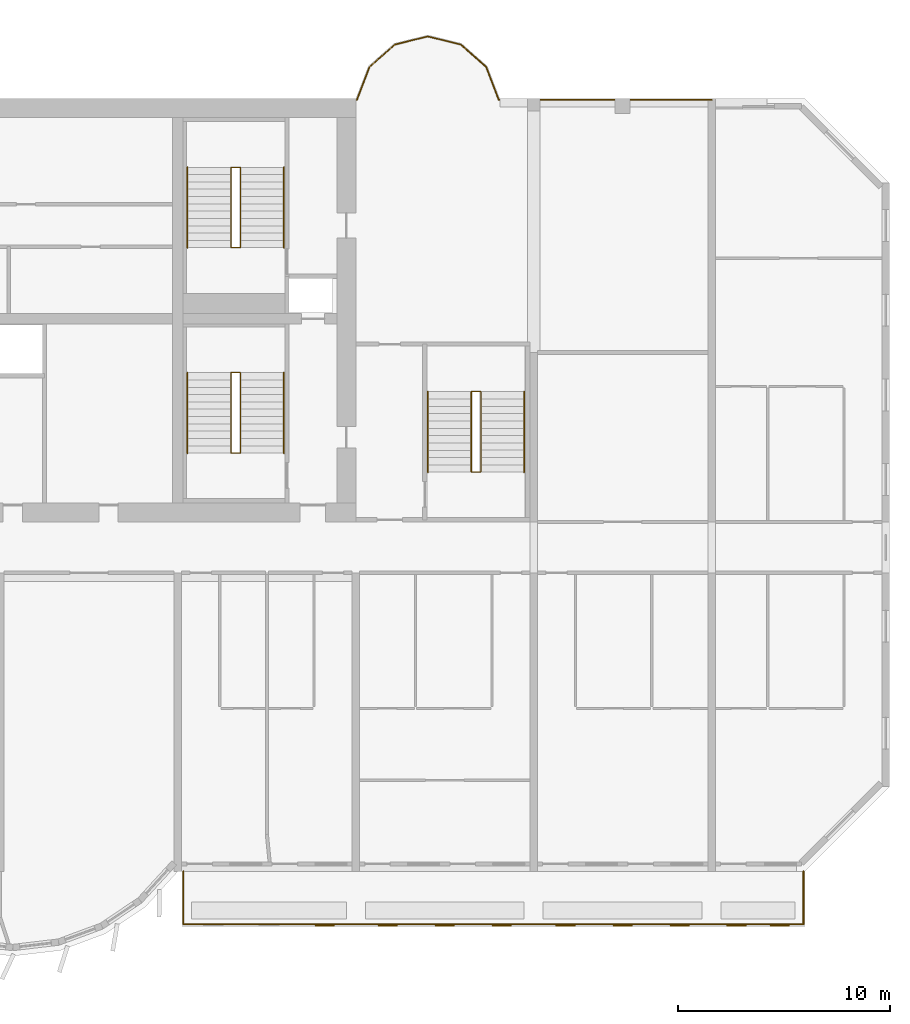
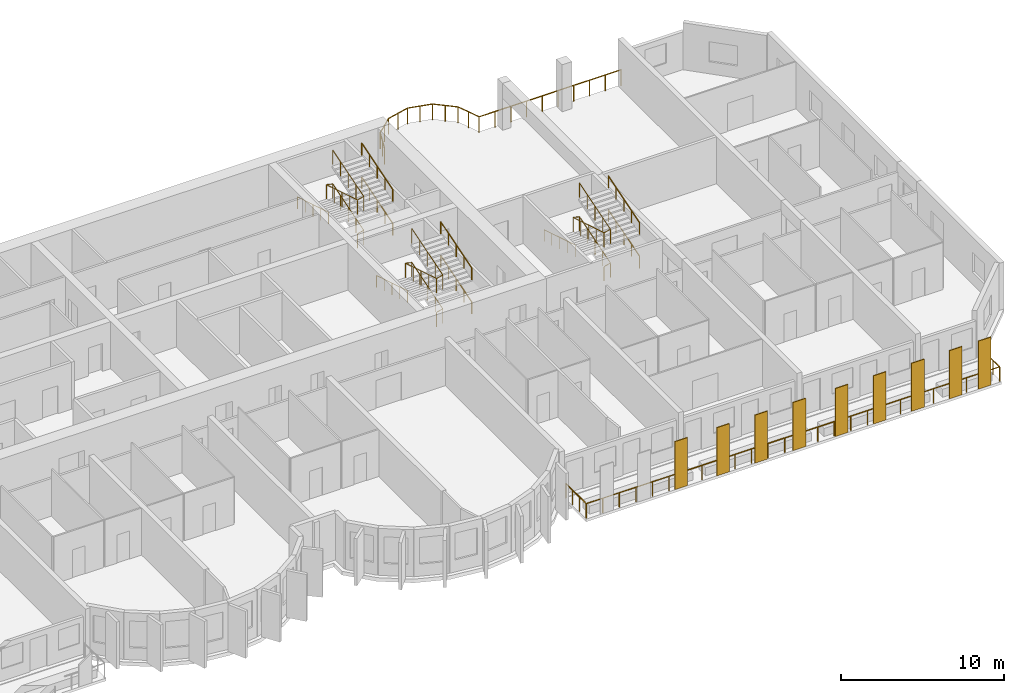
# One storey, part 13 of 14: 14 railings, 9 coverings.
"""IFC4 building model written with IfcOpenShell, lengths in metres."""

import ifcopenshell
import ifcopenshell.guid

model = None  # the IFC model being written
_history = None  # IfcOwnerHistory: only IFC2X3 demands one
_inside = {}  # id of a spatial element -> (the spatial element, [elements in it])
_under = {}  # id of a project, library or spatial element -> (it, [spatial elements below it])
_declared = {}  # id of a project -> (the project, [libraries it declares])
_typed = {}  # id of a type object -> (the type object, [elements of that type])
_made_of = {}  # id of a material, layer set ... -> (it, [elements and type objects made of it])


def new_model(schema):
    """Start an empty IFC model of exactly this schema.

    Asked for "IFC4X3", IfcOpenShell would pick the latest addendum, in which some entities
    have other attributes; the version numbers below select the first issue.
    IFC2X3 requires an IfcOwnerHistory on every rooted entity: one is made here for all.
    """
    global model, _history
    if schema == "IFC4X3":
        model = ifcopenshell.file(schema_version=(4, 3, 0, 0))
    else:
        model = ifcopenshell.file(schema=schema)
    _inside.clear()
    _under.clear()
    _declared.clear()
    _typed.clear()
    _made_of.clear()
    _history = None
    if model.schema == "IFC2X3":
        org = make("IfcOrganization", Name="unknown")
        user = make(
            "IfcPersonAndOrganization",
            ThePerson=make("IfcPerson", FamilyName="unknown"),
            TheOrganization=org,
        )
        app = make(
            "IfcApplication",
            ApplicationDeveloper=org,
            Version="unknown",
            ApplicationFullName="unknown",
            ApplicationIdentifier="unknown",
        )
        _history = make(
            "IfcOwnerHistory",
            OwningUser=user,
            OwningApplication=app,
            ChangeAction="ADDED",
            CreationDate=0,
        )
    return model


def make(cls, **values):
    """One entity of the class cls with the attributes given. An attribute that is None is left unset."""
    return model.create_entity(
        cls, **{name: value for name, value in values.items() if value is not None}
    )


def rooted(cls, **values):
    """An entity with a GlobalId (a new one), such as an element, a storey or a relation."""
    return make(cls, GlobalId=ifcopenshell.guid.new(), OwnerHistory=_history, **values)


def si_unit(unit_type, name, prefix=None):
    """IfcSIUnit, for example si_unit("LENGTHUNIT", "METRE", prefix="MILLI")."""
    return make("IfcSIUnit", UnitType=unit_type, Prefix=prefix, Name=name)


def assignment(units):
    """IfcUnitAssignment: the units of a project."""
    return None if units is None else make("IfcUnitAssignment", Units=units)


def point(xyz):
    """IfcCartesianPoint."""
    return None if xyz is None else make("IfcCartesianPoint", Coordinates=xyz)


def direction(xyz):
    """IfcDirection."""
    return None if xyz is None else make("IfcDirection", DirectionRatios=xyz)


def frame(location, z_axis=None, x_axis=None):
    """IfcAxis2Placement3D, a coordinate frame: its origin and axes. An axis left out is left unset."""
    return make(
        "IfcAxis2Placement3D",
        Location=point(location),
        Axis=direction(z_axis),
        RefDirection=direction(x_axis),
    )


def frame_2d(location, x_axis=None):
    """IfcAxis2Placement2D, a coordinate frame in the plane: its origin and x axis."""
    return make(
        "IfcAxis2Placement2D", Location=point(location), RefDirection=direction(x_axis)
    )


def origin():
    """The frame at (0, 0, 0) with its axes left unset."""
    return frame((0.0, 0.0, 0.0))


def origin_2d():
    """The frame at (0, 0) in the plane with its x axis left unset."""
    return frame_2d((0.0, 0.0))


def place(relative_to, where):
    """IfcLocalPlacement: puts the frame where relative to a parent placement (None: the world)."""
    return make(
        "IfcLocalPlacement", PlacementRelTo=relative_to, RelativePlacement=where
    )


def context(
    kind, dimensions, precision=None, world=None, true_north=None, identifier=None
):
    """IfcGeometricRepresentationContext, for example the 3D "Model" context."""
    return make(
        "IfcGeometricRepresentationContext",
        ContextIdentifier=identifier,
        ContextType=kind,
        CoordinateSpaceDimension=dimensions,
        Precision=precision,
        WorldCoordinateSystem=world,
        TrueNorth=true_north,
    )


def subcontext(parent, identifier, kind, view, scale=None):
    """IfcGeometricRepresentationSubContext, for example "Body" below "Model"."""
    return make(
        "IfcGeometricRepresentationSubContext",
        ContextIdentifier=identifier,
        ContextType=kind,
        ParentContext=parent,
        TargetScale=scale,
        TargetView=view,
    )


def project(units=None, contexts=None):
    """IfcProject with its units and contexts."""
    return rooted(
        "IfcProject",
        Name="project",
        RepresentationContexts=contexts,
        UnitsInContext=assignment(units),
    )


def spatial(cls, under=None, at=None, **own):
    """A site, building, storey or space (cls), placed at a placement, below another one or the project."""
    s = rooted(cls, ObjectPlacement=at, **own)
    if under is not None:
        _under.setdefault(under.id(), (under, []))[1].append(s)
    return s


def profile(cls, at=None, kind="AREA", **sizes):
    """A parametric profile (cls). Its sizes go by their IFC names, for example OverallWidth=200.0."""
    return make(cls, ProfileType=kind, Position=at, **sizes)


def rectangle(**sizes):
    """IfcRectangleProfileDef."""
    return profile("IfcRectangleProfileDef", **sizes)


def circle(**sizes):
    """IfcCircleProfileDef."""
    return profile("IfcCircleProfileDef", **sizes)


def extrude(swept, where, along, depth):
    """IfcExtrudedAreaSolid: the profile swept, set in the frame where, extruded along a direction by depth."""
    return make(
        "IfcExtrudedAreaSolid",
        SweptArea=swept,
        Position=where,
        ExtrudedDirection=direction(along),
        Depth=depth,
    )


def shape(context_of_items, identifier, shape_type, items):
    """IfcShapeRepresentation: the items that make up one representation, for example the "Body"."""
    return make(
        "IfcShapeRepresentation",
        ContextOfItems=context_of_items,
        RepresentationIdentifier=identifier,
        RepresentationType=shape_type,
        Items=items,
    )


def source(mapping_origin, context_of_items, identifier, shape_type, items):
    """IfcRepresentationMap: a shape defined once, which mapped items show again and again."""
    return make(
        "IfcRepresentationMap",
        MappingOrigin=mapping_origin,
        MappedRepresentation=shape(context_of_items, identifier, shape_type, items),
    )


def transform(
    local_origin,
    x_axis=None,
    y_axis=None,
    z_axis=None,
    scale=None,
    scale2=None,
    scale3=None,
    uniform=True,
):
    """IfcCartesianTransformationOperator3D, or its non-uniform kind. x_axis, y_axis, z_axis: its Axis1, 2, 3."""
    if uniform:
        return make(
            "IfcCartesianTransformationOperator3D",
            Axis1=direction(x_axis),
            Axis2=direction(y_axis),
            LocalOrigin=point(local_origin),
            Scale=scale,
            Axis3=direction(z_axis),
        )
    return make(
        "IfcCartesianTransformationOperator3DnonUniform",
        Axis1=direction(x_axis),
        Axis2=direction(y_axis),
        LocalOrigin=point(local_origin),
        Scale=scale,
        Axis3=direction(z_axis),
        Scale2=scale2,
        Scale3=scale3,
    )


def mapped(mapping_source, mapping_target):
    """IfcMappedItem: shows the shape of a source again, moved by a transform."""
    return make(
        "IfcMappedItem", MappingSource=mapping_source, MappingTarget=mapping_target
    )


def material(Name=None, Category=None):
    """IfcMaterial."""
    return make("IfcMaterial", Name=Name, Category=Category)


def layer(
    of_material, thickness, ventilated=None, Name=None, Category=None, Priority=None
):
    """IfcMaterialLayer: one layer of a wall or slab, of a material (None: an air gap)."""
    return make(
        "IfcMaterialLayer",
        Material=of_material,
        LayerThickness=thickness,
        IsVentilated=ventilated,
        Name=Name,
        Category=Category,
        Priority=Priority,
    )


def layer_set(layers, Name=None):
    """IfcMaterialLayerSet."""
    return make("IfcMaterialLayerSet", MaterialLayers=layers, LayerSetName=Name)


def made_of(thing, what):
    """Note that an element or type object is made of a material, layer set ...; save() writes the relation."""
    if what is not None:
        _made_of.setdefault(what.id(), (what, []))[1].append(thing)
    return thing


def type_object(cls, material=None, **own):
    """A type object (cls), such as IfcWallType, which elements share."""
    return made_of(rooted(cls, **own), material)


def element(
    cls,
    number,
    at=None,
    inside=None,
    cuts=None,
    type_object=None,
    material=None,
    context=None,
    identifier="Body",
    shape_type=None,
    held_by="IfcProductDefinitionShape",
    body=None,
    shapes=None,
    **own,
):
    """One element of the class cls, such as IfcWall. Its Tag is "e" and its number.

    at: its placement. inside: the storey or other place that contains it. cuts: it is an
    opening in that element (IfcRelVoidsElement). A single representation is given by context,
    identifier, shape_type and body (its items); several are given by shapes. held_by: the class
    of the entity that holds the representations. save() writes the other relations.
    """
    e = rooted(cls, Tag="e%d" % number, ObjectPlacement=at, **own)
    if body is not None:
        shapes = [shape(context, identifier, shape_type, body)]
    if shapes is not None:
        e.Representation = make(held_by, Representations=shapes)
    if inside is not None:
        _inside.setdefault(inside.id(), (inside, []))[1].append(e)
    if cuts is not None:
        rooted(
            "IfcRelVoidsElement", RelatingBuildingElement=cuts, RelatedOpeningElement=e
        )
    if type_object is not None:
        _typed.setdefault(type_object.id(), (type_object, []))[1].append(e)
    return made_of(e, material)


def aggregate(whole, parts):
    """IfcRelAggregates: a whole, such as a stair, and the parts it consists of."""
    return rooted("IfcRelAggregates", RelatingObject=whole, RelatedObjects=parts)


def save(model, path):
    """Write the relations noted so far, then the file.

    IfcRelAggregates (storeys below a building ...), IfcRelContainedInSpatialStructure (elements
    in a storey), IfcRelDefinesByType, IfcRelAssociatesMaterial and IfcRelDeclares: one each for
    every whole, place, type object, material and project.
    """
    for whole, parts in _under.values():
        aggregate(whole, parts)
    for where, things in _inside.values():
        rooted(
            "IfcRelContainedInSpatialStructure",
            RelatedElements=things,
            RelatingStructure=where,
        )
    for kind, things in _typed.values():
        rooted("IfcRelDefinesByType", RelatedObjects=things, RelatingType=kind)
    for what, things in _made_of.values():
        rooted("IfcRelAssociatesMaterial", RelatedObjects=things, RelatingMaterial=what)
    for by, libraries in _declared.values():
        rooted("IfcRelDeclares", RelatingContext=by, RelatedDefinitions=libraries)
    model.write(path)


model = new_model("IFC4")

# Units and contexts
model_context = context("Model", 3, precision=1e-05, world=origin(), true_north=direction((0.0, 1.0)))
body_context = subcontext(model_context, "Body", "Model", "MODEL_VIEW")
ifc_project = project(units=[si_unit("LENGTHUNIT", "METRE"), si_unit("AREAUNIT", "SQUARE_METRE"), si_unit("VOLUMEUNIT", "CUBIC_METRE"), si_unit("PLANEANGLEUNIT", "RADIAN"), si_unit("MASSUNIT", "GRAM", prefix="KILO")], contexts=[model_context])

# Site, building, storey
site_placement = place(None, origin())
site = spatial("IfcSite", under=ifc_project, at=site_placement, CompositionType="ELEMENT")
building_placement = place(site_placement, origin())
building = spatial("IfcBuilding", under=site, at=building_placement, Name="Vanashikhar Sky Hotel", CompositionType="ELEMENT")
storey_placement = place(building_placement, frame((0.0, 0.0, 121.800048828125)))
storey = spatial("IfcBuildingStorey", under=building, at=storey_placement, Name="L29", CompositionType="ELEMENT", Elevation=121.800048828125)

# Railing
ifc_material_1 = material(Name="Stainless steel 316", Category="steel")
railing_type_1 = type_object("IfcRailingType", Name="Balcony guard 1100", PredefinedType="GUARDRAIL", material=ifc_material_1)
shared_shape_1 = source(origin(), body_context, "Body", "SweptSolid", [
    extrude(circle(Radius=0.02392578125, at=origin_2d()), frame((0.0, 0.0, 1.076171875), z_axis=(0.0, -1.0, 0.0), x_axis=(1.0, 0.0, 0.0)), (0.0, 0.0, 1.0), 2.5),
    extrude(circle(Radius=0.02392578125, at=origin_2d()), frame((0.0, -2.5, 1.076171875), z_axis=(1.0, 0.0, 0.0), x_axis=(0.0, 1.0, 0.0)), (0.0, 0.0, 1.0), 29.280029296875),
    extrude(circle(Radius=0.02392578125, at=origin_2d()), frame((29.280029296875, -2.5, 1.076171875), z_axis=(0.0, 1.0, 0.0), x_axis=(-1.0, 0.0, 0.0)), (0.0, 0.0, 1.0), 2.5),
    extrude(circle(Radius=0.02099609375, at=origin_2d()), origin(), (0.0, 0.0, 1.0), 1.052001953125),
    extrude(circle(Radius=0.02099609375, at=origin_2d()), frame((0.0, -0.833251953125, 0.0)), (0.0, 0.0, 1.0), 1.052001953125),
    extrude(circle(Radius=0.02099609375, at=origin_2d()), frame((0.0, -1.666748046875, 0.0)), (0.0, 0.0, 1.0), 1.052001953125),
    extrude(circle(Radius=0.02099609375, at=origin_2d()), frame((0.0, -2.5, 0.0)), (0.0, 0.0, 1.0), 1.052001953125),
    extrude(circle(Radius=0.02099609375, at=origin_2d()), frame((1.171142578125, -2.5, 0.0)), (0.0, 0.0, 1.0), 1.052001953125),
    extrude(circle(Radius=0.02099609375, at=origin_2d()), frame((2.34228515625, -2.5, 0.0)), (0.0, 0.0, 1.0), 1.052001953125),
    extrude(circle(Radius=0.02099609375, at=origin_2d()), frame((3.513671875, -2.5, 0.0)), (0.0, 0.0, 1.0), 1.052001953125),
    extrude(circle(Radius=0.02099609375, at=origin_2d()), frame((4.684814453125, -2.5, 0.0)), (0.0, 0.0, 1.0), 1.052001953125),
    extrude(circle(Radius=0.02099609375, at=origin_2d()), frame((5.85595703125, -2.5, 0.0)), (0.0, 0.0, 1.0), 1.052001953125),
    extrude(circle(Radius=0.02099609375, at=origin_2d()), frame((7.027099609375, -2.5, 0.0)), (0.0, 0.0, 1.0), 1.052001953125),
    extrude(circle(Radius=0.02099609375, at=origin_2d()), frame((8.198486328125, -2.5, 0.0)), (0.0, 0.0, 1.0), 1.052001953125),
    extrude(circle(Radius=0.02099609375, at=origin_2d()), frame((9.36962890625, -2.5, 0.0)), (0.0, 0.0, 1.0), 1.052001953125),
    extrude(circle(Radius=0.02099609375, at=origin_2d()), frame((10.540771484375, -2.5, 0.0)), (0.0, 0.0, 1.0), 1.052001953125),
    extrude(circle(Radius=0.02099609375, at=origin_2d()), frame((11.7119140625, -2.5, 0.0)), (0.0, 0.0, 1.0), 1.052001953125),
    extrude(circle(Radius=0.02099609375, at=origin_2d()), frame((12.88330078125, -2.5, 0.0)), (0.0, 0.0, 1.0), 1.052001953125),
    extrude(circle(Radius=0.02099609375, at=origin_2d()), frame((14.054443359375, -2.5, 0.0)), (0.0, 0.0, 1.0), 1.052001953125),
    extrude(circle(Radius=0.02099609375, at=origin_2d()), frame((15.2255859375, -2.5, 0.0)), (0.0, 0.0, 1.0), 1.052001953125),
    extrude(circle(Radius=0.02099609375, at=origin_2d()), frame((16.396728515625, -2.5, 0.0)), (0.0, 0.0, 1.0), 1.052001953125),
    extrude(circle(Radius=0.02099609375, at=origin_2d()), frame((17.568115234375, -2.5, 0.0)), (0.0, 0.0, 1.0), 1.052001953125),
    extrude(circle(Radius=0.02099609375, at=origin_2d()), frame((18.7392578125, -2.5, 0.0)), (0.0, 0.0, 1.0), 1.052001953125),
    extrude(circle(Radius=0.02099609375, at=origin_2d()), frame((19.910400390625, -2.5, 0.0)), (0.0, 0.0, 1.0), 1.052001953125),
    extrude(circle(Radius=0.02099609375, at=origin_2d()), frame((21.08154296875, -2.5, 0.0)), (0.0, 0.0, 1.0), 1.052001953125),
    extrude(circle(Radius=0.02099609375, at=origin_2d()), frame((22.2529296875, -2.5, 0.0)), (0.0, 0.0, 1.0), 1.052001953125),
    extrude(circle(Radius=0.02099609375, at=origin_2d()), frame((23.424072265625, -2.5, 0.0)), (0.0, 0.0, 1.0), 1.052001953125),
    extrude(circle(Radius=0.02099609375, at=origin_2d()), frame((24.59521484375, -2.5, 0.0)), (0.0, 0.0, 1.0), 1.052001953125),
    extrude(circle(Radius=0.02099609375, at=origin_2d()), frame((25.766357421875, -2.5, 0.0)), (0.0, 0.0, 1.0), 1.052001953125),
    extrude(circle(Radius=0.02099609375, at=origin_2d()), frame((26.937744140625, -2.5, 0.0)), (0.0, 0.0, 1.0), 1.052001953125),
    extrude(circle(Radius=0.02099609375, at=origin_2d()), frame((28.10888671875, -2.5, 0.0)), (0.0, 0.0, 1.0), 1.052001953125),
    extrude(circle(Radius=0.02099609375, at=origin_2d()), frame((29.280029296875, -2.5, 0.0)), (0.0, 0.0, 1.0), 1.052001953125),
    extrude(circle(Radius=0.02099609375, at=origin_2d()), frame((29.280029296875, -1.666748046875, 0.0)), (0.0, 0.0, 1.0), 1.052001953125),
    extrude(circle(Radius=0.02099609375, at=origin_2d()), frame((29.280029296875, -0.833251953125, 0.0)), (0.0, 0.0, 1.0), 1.052001953125),
    extrude(circle(Radius=0.02099609375, at=origin_2d()), frame((29.280029296875, 0.0, 0.0)), (0.0, 0.0, 1.0), 1.052001953125),
])
railing_1_placement = place(storey_placement, frame((67.4599609375, 5.5, -0.050048828125)))
element("IfcRailing", 1, at=railing_1_placement, inside=storey, type_object=railing_type_1, Name="Balcony guard", PredefinedType="GUARDRAIL", context=body_context, shape_type="MappedRepresentation", body=[
    mapped(shared_shape_1, transform((0.0, 0.0, 0.0), scale=1.0)),
])

# Coverings
ifc_material_2 = material(Name="Terracotta", Category="masonry")
ifc_layer = layer(ifc_material_2, 0.06005859375)
ifc_layer_set = layer_set([ifc_layer], Name="Terracotta baguette screen")
covering_type = type_object("IfcCoveringType", Name="Terracotta baguette screen", PredefinedType="CLADDING", material=ifc_layer_set)
shared_shape_2 = source(origin(), body_context, "Body", "SweptSolid", [
    extrude(rectangle(XDim=0.89990234375, YDim=0.06005859375, at=origin_2d()), origin(), (0.0, 0.0, 1.0), 3.60009765625),
])
for number, where, z_axis, x_axis, name in (
    (2, (74.13330078125, 2.929931640625, -0.050048828125), (0.0, 0.0, 1.0), (1.0, 0.0, 0.0), "Terracotta screen"),
    (3, (77.10009765625, 2.929931640625, -0.050048828125), (0.0, 0.0, 1.0), (1.0, 0.0, 0.0), "Terracotta screen"),
    (4, (79.800048828125, 2.929931640625, -0.050048828125), (0.0, 0.0, 1.0), (1.0, 0.0, 0.0), "Terracotta screen"),
    (5, (82.5, 2.929931640625, -0.050048828125), (0.0, 0.0, 1.0), (1.0, 0.0, 0.0), "Terracotta screen"),
    (6, (85.5, 2.929931640625, -0.050048828125), (0.0, 0.0, 1.0), (1.0, 0.0, 0.0), "Terracotta screen"),
    (7, (88.199951171875, 2.929931640625, -0.050048828125), (0.0, 0.0, 1.0), (1.0, 0.0, 0.0), "Terracotta screen"),
    (8, (90.89990234375, 2.929931640625, -0.050048828125), (0.0, 0.0, 1.0), (1.0, 0.0, 0.0), "Terracotta screen"),
    (9, (93.574951171875, 2.929931640625, -0.050048828125), (0.0, 0.0, 1.0), (1.0, 0.0, 0.0), "Terracotta screen"),
    (10, (95.625, 2.929931640625, -0.050048828125), (0.0, 0.0, 1.0), (1.0, 0.0, 0.0), "Terracotta screen"),
):
    element("IfcCovering", number, at=place(storey_placement, frame(where, z_axis=z_axis, x_axis=x_axis)), inside=storey, type_object=covering_type, Name=name, PredefinedType="CLADDING", context=body_context, shape_type="MappedRepresentation", body=[
        mapped(shared_shape_2, transform((0.0, 0.0, 0.0), scale=1.0)),
    ])

# Railings
railing_type_2 = type_object("IfcRailingType", Name="Refuge terrace guard 1200", PredefinedType="GUARDRAIL", material=ifc_material_1)
shared_shape_3 = source(origin(), body_context, "Body", "SweptSolid", [
    extrude(circle(Radius=0.02392578125, at=origin_2d()), frame((0.0, 0.0, 1.17578125), z_axis=(-1.0, 0.0, 0.0), x_axis=(0.0, -1.0, 0.0)), (0.0, 0.0, 1.0), 10.048095703125),
    extrude(circle(Radius=0.02392578125, at=origin_2d()), frame((-10.048095703125, 0.0, 1.17578125), z_axis=(-0.357682612009, 0.933843214392, 0.0), x_axis=(-0.933843214392, -0.357682612009, 0.0)), (0.0, 0.0, 1.0), 1.666015625),
    extrude(circle(Radius=0.02392578125, at=origin_2d()), frame((-10.64404296875, 1.555908203125, 1.17578125), z_axis=(-0.749699987355, 0.661777854692, 0.0), x_axis=(-0.661777854692, -0.749699987355, 0.0)), (0.0, 0.0, 1.0), 1.602294921875),
    extrude(circle(Radius=0.02392578125, at=origin_2d()), frame((-11.84521484375, 2.6162109375, 1.17578125), z_axis=(-0.971138901218, 0.238514642196, 0.0), x_axis=(-0.238514642196, -0.971138901218, 0.0)), (0.0, 0.0, 1.0), 1.600830078125),
    extrude(circle(Radius=0.02392578125, at=origin_2d()), frame((-13.39990234375, 2.998046875, 1.17578125), z_axis=(-0.971138901218, -0.238514642196, 0.0), x_axis=(0.238514642196, -0.971138901218, 0.0)), (0.0, 0.0, 1.0), 1.600830078125),
    extrude(circle(Radius=0.02392578125, at=origin_2d()), frame((-14.95458984375, 2.6162109375, 1.17578125), z_axis=(-0.749699987355, -0.661777854692, 0.0), x_axis=(0.661777854692, -0.749699987355, 0.0)), (0.0, 0.0, 1.0), 1.602294921875),
    extrude(circle(Radius=0.02392578125, at=origin_2d()), frame((-16.15576171875, 1.555908203125, 1.17578125), z_axis=(-0.357682612009, -0.933843214392, 0.0), x_axis=(0.933843214392, -0.357682612009, 0.0)), (0.0, 0.0, 1.0), 1.666015625),
    extrude(circle(Radius=0.02099609375, at=origin_2d()), origin(), (0.0, 0.0, 1.0), 1.15185546875),
    extrude(circle(Radius=0.02099609375, at=origin_2d()), frame((-1.116455078125, 0.0, 0.0)), (0.0, 0.0, 1.0), 1.15185546875),
    extrude(circle(Radius=0.02099609375, at=origin_2d()), frame((-2.23291015625, 0.0, 0.0)), (0.0, 0.0, 1.0), 1.15185546875),
    extrude(circle(Radius=0.02099609375, at=origin_2d()), frame((-3.349365234375, 0.0, 0.0)), (0.0, 0.0, 1.0), 1.15185546875),
    extrude(circle(Radius=0.02099609375, at=origin_2d()), frame((-4.4658203125, 0.0, 0.0)), (0.0, 0.0, 1.0), 1.15185546875),
    extrude(circle(Radius=0.02099609375, at=origin_2d()), frame((-5.582275390625, 0.0, 0.0)), (0.0, 0.0, 1.0), 1.15185546875),
    extrude(circle(Radius=0.02099609375, at=origin_2d()), frame((-6.69873046875, 0.0, 0.0)), (0.0, 0.0, 1.0), 1.15185546875),
    extrude(circle(Radius=0.02099609375, at=origin_2d()), frame((-7.815185546875, 0.0, 0.0)), (0.0, 0.0, 1.0), 1.15185546875),
    extrude(circle(Radius=0.02099609375, at=origin_2d()), frame((-8.931640625, 0.0, 0.0)), (0.0, 0.0, 1.0), 1.15185546875),
    extrude(circle(Radius=0.02099609375, at=origin_2d()), frame((-10.048095703125, 0.0, 0.0)), (0.0, 0.0, 1.0), 1.15185546875),
    extrude(circle(Radius=0.02099609375, at=origin_2d()), frame((-10.34619140625, 0.77783203125, 0.0)), (0.0, 0.0, 1.0), 1.15185546875),
    extrude(circle(Radius=0.02099609375, at=origin_2d()), frame((-10.64404296875, 1.555908203125, 0.0)), (0.0, 0.0, 1.0), 1.15185546875),
    extrude(circle(Radius=0.02099609375, at=origin_2d()), frame((-11.24462890625, 2.0859375, 0.0)), (0.0, 0.0, 1.0), 1.15185546875),
    extrude(circle(Radius=0.02099609375, at=origin_2d()), frame((-11.84521484375, 2.6162109375, 0.0)), (0.0, 0.0, 1.0), 1.15185546875),
    extrude(circle(Radius=0.02099609375, at=origin_2d()), frame((-12.62255859375, 2.80712890625, 0.0)), (0.0, 0.0, 1.0), 1.15185546875),
    extrude(circle(Radius=0.02099609375, at=origin_2d()), frame((-13.39990234375, 2.998046875, 0.0)), (0.0, 0.0, 1.0), 1.15185546875),
    extrude(circle(Radius=0.02099609375, at=origin_2d()), frame((-14.17724609375, 2.80712890625, 0.0)), (0.0, 0.0, 1.0), 1.15185546875),
    extrude(circle(Radius=0.02099609375, at=origin_2d()), frame((-14.95458984375, 2.6162109375, 0.0)), (0.0, 0.0, 1.0), 1.15185546875),
    extrude(circle(Radius=0.02099609375, at=origin_2d()), frame((-15.55517578125, 2.0859375, 0.0)), (0.0, 0.0, 1.0), 1.15185546875),
    extrude(circle(Radius=0.02099609375, at=origin_2d()), frame((-16.15576171875, 1.555908203125, 0.0)), (0.0, 0.0, 1.0), 1.15185546875),
    extrude(circle(Radius=0.02099609375, at=origin_2d()), frame((-16.45361328125, 0.77783203125, 0.0)), (0.0, 0.0, 1.0), 1.15185546875),
    extrude(circle(Radius=0.02099609375, at=origin_2d()), frame((-16.751708984375, 0.0, 0.0)), (0.0, 0.0, 1.0), 1.15185546875),
])
railing_2_placement = place(storey_placement, frame((92.39990234375, 41.929931640625, 0.0)))
element("IfcRailing", 11, at=railing_2_placement, inside=storey, type_object=railing_type_2, Name="Refuge terrace guard", PredefinedType="GUARDRAIL", context=body_context, shape_type="MappedRepresentation", body=[
    mapped(shared_shape_3, transform((0.0, 0.0, 0.0), scale=1.0)),
])
ifc_material_3 = material(Name="Steel S355", Category="steel")
railing_type_3 = type_object("IfcRailingType", Name="Stair handrail 900", PredefinedType="HANDRAIL", material=ifc_material_3)
shared_shape_4 = source(origin(), body_context, "Body", "SweptSolid", [
    extrude(circle(Radius=0.02392578125, at=origin_2d()), frame((0.0, 0.0, 0.8759765625), z_axis=(0.0, 0.95635109408, 0.292220096591), x_axis=(-1.0, 0.0, 0.0)), (0.0, 0.0, 1.0), 3.973388671875),
    extrude(circle(Radius=0.02099609375, at=origin_2d()), origin(), (0.0, 0.0, 1.0), 0.851806640625),
    extrude(circle(Radius=0.02099609375, at=origin_2d()), frame((0.0, 0.949951171875, 0.290283203125)), (0.0, 0.0, 1.0), 0.851806640625),
    extrude(circle(Radius=0.02099609375, at=origin_2d()), frame((0.0, 1.89990234375, 0.58056640625)), (0.0, 0.0, 1.0), 0.851806640625),
    extrude(circle(Radius=0.02099609375, at=origin_2d()), frame((0.0, 2.85009765625, 0.870849609375)), (0.0, 0.0, 1.0), 0.851806640625),
    extrude(circle(Radius=0.02099609375, at=origin_2d()), frame((0.0, 3.800048828125, 1.1611328125)), (0.0, 0.0, 1.0), 0.851806640625),
])
for number, where, name in (
    (12, (72.199951171875, 25.25, 0.10546875), "Exit stair 2 handrail"),
    (13, (72.199951171875, 25.25, 2.638916015625), "Exit stair 2 handrail"),
    (14, (72.199951171875, 34.949951171875, 0.10546875), "Exit stair 6 handrail"),
    (15, (72.199951171875, 34.949951171875, 2.638916015625), "Exit stair 6 handrail"),
):
    element("IfcRailing", number, at=place(storey_placement, frame(where)), inside=storey, type_object=railing_type_3, Name=name, PredefinedType="HANDRAIL", context=body_context, shape_type="MappedRepresentation", body=[
        mapped(shared_shape_4, transform((0.0, 0.0, 0.0), scale=1.0)),
    ])
shared_shape_5 = source(origin(), body_context, "Body", "SweptSolid", [
    extrude(circle(Radius=0.02392578125, at=origin_2d()), frame((0.0, 0.0, 0.8759765625), z_axis=(0.0, -0.95635109408, 0.292220096591), x_axis=(1.0, 0.0, 0.0)), (0.0, 0.0, 1.0), 3.973388671875),
    extrude(circle(Radius=0.02099609375, at=origin_2d()), origin(), (0.0, 0.0, 1.0), 0.851806640625),
    extrude(circle(Radius=0.02099609375, at=origin_2d()), frame((0.0, -0.949951171875, 0.290283203125)), (0.0, 0.0, 1.0), 0.851806640625),
    extrude(circle(Radius=0.02099609375, at=origin_2d()), frame((0.0, -1.89990234375, 0.58056640625)), (0.0, 0.0, 1.0), 0.851806640625),
    extrude(circle(Radius=0.02099609375, at=origin_2d()), frame((0.0, -2.85009765625, 0.870849609375)), (0.0, 0.0, 1.0), 0.851806640625),
    extrude(circle(Radius=0.02099609375, at=origin_2d()), frame((0.0, -3.800048828125, 1.1611328125)), (0.0, 0.0, 1.0), 0.851806640625),
])
for number, where, name in (
    (16, (67.64990234375, 29.050048828125, 1.3720703125), "Exit stair 2 handrail"),
    (17, (67.64990234375, 38.75, 1.3720703125), "Exit stair 6 handrail"),
):
    element("IfcRailing", number, at=place(storey_placement, frame(where)), inside=storey, type_object=railing_type_3, Name=name, PredefinedType="HANDRAIL", context=body_context, shape_type="MappedRepresentation", body=[
        mapped(shared_shape_5, transform((0.0, 0.0, 0.0), scale=1.0)),
    ])
railing_type_4 = type_object("IfcRailingType", Name="Stair guard 1100", PredefinedType="GUARDRAIL", material=ifc_material_3)
shared_shape_6 = source(origin(), body_context, "Body", "SweptSolid", [
    extrude(circle(Radius=0.02392578125, at=origin_2d()), frame((0.0, 0.0, 1.076171875), z_axis=(0.973610808694, 0.0, 0.228214796178), x_axis=(0.0, 1.0, 0.0)), (0.0, 0.0, 1.0), 0.462158203125),
    extrude(circle(Radius=0.02392578125, at=origin_2d()), frame((0.449951171875, 0.0, 1.181640625), z_axis=(0.0, 0.95635109408, 0.292220096591), x_axis=(-1.0, 0.0, 0.0)), (0.0, 0.0, 1.0), 3.973388671875),
    extrude(circle(Radius=0.02392578125, at=origin_2d()), frame((0.449951171875, 3.800048828125, 2.3427734375), z_axis=(-0.973610808694, 0.0, 0.228214796178), x_axis=(0.0, -1.0, 0.0)), (0.0, 0.0, 1.0), 0.462158203125),
    extrude(circle(Radius=0.02392578125, at=origin_2d()), frame((0.0, 3.800048828125, 2.4482421875), z_axis=(0.0, -0.95635109408, 0.292220096591), x_axis=(1.0, 0.0, 0.0)), (0.0, 0.0, 1.0), 3.973388671875),
    extrude(circle(Radius=0.02392578125, at=origin_2d()), frame((0.0, 0.0, 3.609375), z_axis=(0.973493315427, 0.0, 0.228715466945), x_axis=(0.0, 1.0, 0.0)), (0.0, 0.0, 1.0), 0.462158203125),
    extrude(circle(Radius=0.02392578125, at=origin_2d()), frame((0.449951171875, 0.0, 3.71484375), z_axis=(0.0, 0.95635109408, 0.292220096591), x_axis=(-1.0, 0.0, 0.0)), (0.0, 0.0, 1.0), 3.973388671875),
    extrude(circle(Radius=0.02099609375, at=origin_2d()), origin(), (0.0, 0.0, 1.0), 1.052001953125),
    extrude(circle(Radius=0.02099609375, at=origin_2d()), frame((0.449951171875, 0.0, 0.10546875)), (0.0, 0.0, 1.0), 1.052001953125),
    extrude(circle(Radius=0.02099609375, at=origin_2d()), frame((0.449951171875, 0.949951171875, 0.395751953125)), (0.0, 0.0, 1.0), 1.052001953125),
    extrude(circle(Radius=0.02099609375, at=origin_2d()), frame((0.449951171875, 1.89990234375, 0.68603515625)), (0.0, 0.0, 1.0), 1.052001953125),
    extrude(circle(Radius=0.02099609375, at=origin_2d()), frame((0.449951171875, 2.85009765625, 0.976318359375)), (0.0, 0.0, 1.0), 1.052001953125),
    extrude(circle(Radius=0.02099609375, at=origin_2d()), frame((0.449951171875, 3.800048828125, 1.2666015625)), (0.0, 0.0, 1.0), 1.052001953125),
    extrude(circle(Radius=0.02099609375, at=origin_2d()), frame((0.0, 3.800048828125, 1.3720703125)), (0.0, 0.0, 1.0), 1.052001953125),
    extrude(circle(Radius=0.02099609375, at=origin_2d()), frame((0.0, 2.85009765625, 1.662353515625)), (0.0, 0.0, 1.0), 1.052001953125),
    extrude(circle(Radius=0.02099609375, at=origin_2d()), frame((0.0, 1.89990234375, 1.95263671875)), (0.0, 0.0, 1.0), 1.052001953125),
    extrude(circle(Radius=0.02099609375, at=origin_2d()), frame((0.0, 0.949951171875, 2.242919921875)), (0.0, 0.0, 1.0), 1.052001953125),
    extrude(circle(Radius=0.02099609375, at=origin_2d()), frame((0.0, 0.0, 2.533203125)), (0.0, 0.0, 1.0), 1.052001953125),
    extrude(circle(Radius=0.02099609375, at=origin_2d()), frame((0.449951171875, 0.0, 2.638916015625)), (0.0, 0.0, 1.0), 1.052001953125),
    extrude(circle(Radius=0.02099609375, at=origin_2d()), frame((0.449951171875, 0.949951171875, 2.92919921875)), (0.0, 0.0, 1.0), 1.052001953125),
    extrude(circle(Radius=0.02099609375, at=origin_2d()), frame((0.449951171875, 1.89990234375, 3.219482421875)), (0.0, 0.0, 1.0), 1.052001953125),
    extrude(circle(Radius=0.02099609375, at=origin_2d()), frame((0.449951171875, 2.85009765625, 3.509765625)), (0.0, 0.0, 1.0), 1.052001953125),
    extrude(circle(Radius=0.02099609375, at=origin_2d()), frame((0.449951171875, 3.800048828125, 3.800048828125)), (0.0, 0.0, 1.0), 1.052001953125),
])
for number, where, name in (
    (18, (69.699951171875, 25.25, 0.0), "Exit stair 2 guard"),
    (19, (69.699951171875, 34.949951171875, 0.0), "Exit stair 6 guard"),
):
    element("IfcRailing", number, at=place(storey_placement, frame(where)), inside=storey, type_object=railing_type_4, Name=name, PredefinedType="GUARDRAIL", context=body_context, shape_type="MappedRepresentation", body=[
        mapped(shared_shape_6, transform((0.0, 0.0, 0.0), scale=1.0)),
    ])
shared_shape_7 = source(origin(), body_context, "Body", "SweptSolid", [
    extrude(circle(Radius=0.02392578125, at=origin_2d()), frame((0.0, 0.0, 1.076171875), z_axis=(0.973610808694, 0.0, 0.228214796178), x_axis=(0.0, 1.0, 0.0)), (0.0, 0.0, 1.0), 0.462158203125),
    extrude(circle(Radius=0.02392578125, at=origin_2d()), frame((0.449951171875, 0.0, 1.181640625), z_axis=(0.0, 0.956345846891, 0.292237268557), x_axis=(-1.0, 0.0, 0.0)), (0.0, 0.0, 1.0), 3.97314453125),
    extrude(circle(Radius=0.02392578125, at=origin_2d()), frame((0.449951171875, 3.7998046875, 2.3427734375), z_axis=(-0.973610808694, 0.0, 0.228214796178), x_axis=(0.0, -1.0, 0.0)), (0.0, 0.0, 1.0), 0.462158203125),
    extrude(circle(Radius=0.02392578125, at=origin_2d()), frame((0.0, 3.7998046875, 2.4482421875), z_axis=(0.0, -0.956345846891, 0.292237268557), x_axis=(1.0, 0.0, 0.0)), (0.0, 0.0, 1.0), 3.97314453125),
    extrude(circle(Radius=0.02392578125, at=origin_2d()), frame((0.0, 0.0, 3.609375), z_axis=(0.973493315427, 0.0, 0.228715466945), x_axis=(0.0, 1.0, 0.0)), (0.0, 0.0, 1.0), 0.462158203125),
    extrude(circle(Radius=0.02392578125, at=origin_2d()), frame((0.449951171875, 0.0, 3.71484375), z_axis=(0.0, 0.956345846891, 0.292237268557), x_axis=(-1.0, 0.0, 0.0)), (0.0, 0.0, 1.0), 3.97314453125),
    extrude(circle(Radius=0.02099609375, at=origin_2d()), origin(), (0.0, 0.0, 1.0), 1.052001953125),
    extrude(circle(Radius=0.02099609375, at=origin_2d()), frame((0.449951171875, 0.0, 0.10546875)), (0.0, 0.0, 1.0), 1.052001953125),
    extrude(circle(Radius=0.02099609375, at=origin_2d()), frame((0.449951171875, 0.949951171875, 0.395751953125)), (0.0, 0.0, 1.0), 1.052001953125),
    extrude(circle(Radius=0.02099609375, at=origin_2d()), frame((0.449951171875, 1.89990234375, 0.68603515625)), (0.0, 0.0, 1.0), 1.052001953125),
    extrude(circle(Radius=0.02099609375, at=origin_2d()), frame((0.449951171875, 2.849853515625, 0.976318359375)), (0.0, 0.0, 1.0), 1.052001953125),
    extrude(circle(Radius=0.02099609375, at=origin_2d()), frame((0.449951171875, 3.7998046875, 1.2666015625)), (0.0, 0.0, 1.0), 1.052001953125),
    extrude(circle(Radius=0.02099609375, at=origin_2d()), frame((0.0, 3.7998046875, 1.3720703125)), (0.0, 0.0, 1.0), 1.052001953125),
    extrude(circle(Radius=0.02099609375, at=origin_2d()), frame((0.0, 2.849853515625, 1.662353515625)), (0.0, 0.0, 1.0), 1.052001953125),
    extrude(circle(Radius=0.02099609375, at=origin_2d()), frame((0.0, 1.89990234375, 1.95263671875)), (0.0, 0.0, 1.0), 1.052001953125),
    extrude(circle(Radius=0.02099609375, at=origin_2d()), frame((0.0, 0.949951171875, 2.242919921875)), (0.0, 0.0, 1.0), 1.052001953125),
    extrude(circle(Radius=0.02099609375, at=origin_2d()), frame((0.0, 0.0, 2.533203125)), (0.0, 0.0, 1.0), 1.052001953125),
    extrude(circle(Radius=0.02099609375, at=origin_2d()), frame((0.449951171875, 0.0, 2.638916015625)), (0.0, 0.0, 1.0), 1.052001953125),
    extrude(circle(Radius=0.02099609375, at=origin_2d()), frame((0.449951171875, 0.949951171875, 2.92919921875)), (0.0, 0.0, 1.0), 1.052001953125),
    extrude(circle(Radius=0.02099609375, at=origin_2d()), frame((0.449951171875, 1.89990234375, 3.219482421875)), (0.0, 0.0, 1.0), 1.052001953125),
    extrude(circle(Radius=0.02099609375, at=origin_2d()), frame((0.449951171875, 2.849853515625, 3.509765625)), (0.0, 0.0, 1.0), 1.052001953125),
    extrude(circle(Radius=0.02099609375, at=origin_2d()), frame((0.449951171875, 3.7998046875, 3.800048828125)), (0.0, 0.0, 1.0), 1.052001953125),
])
railing_3_placement = place(storey_placement, frame((81.050048828125, 24.35009765625, 0.0)))
element("IfcRailing", 20, at=railing_3_placement, inside=storey, type_object=railing_type_4, Name="Exit stair 4 guard", PredefinedType="GUARDRAIL", context=body_context, shape_type="MappedRepresentation", body=[
    mapped(shared_shape_7, transform((0.0, 0.0, 0.0), scale=1.0)),
])
shared_shape_8 = source(origin(), body_context, "Body", "SweptSolid", [
    extrude(circle(Radius=0.02392578125, at=origin_2d()), frame((0.0, 0.0, 0.8759765625), z_axis=(0.0, 0.956345846891, 0.292237268557), x_axis=(-1.0, 0.0, 0.0)), (0.0, 0.0, 1.0), 3.97314453125),
    extrude(circle(Radius=0.02099609375, at=origin_2d()), origin(), (0.0, 0.0, 1.0), 0.851806640625),
    extrude(circle(Radius=0.02099609375, at=origin_2d()), frame((0.0, 0.949951171875, 0.290283203125)), (0.0, 0.0, 1.0), 0.851806640625),
    extrude(circle(Radius=0.02099609375, at=origin_2d()), frame((0.0, 1.89990234375, 0.58056640625)), (0.0, 0.0, 1.0), 0.851806640625),
    extrude(circle(Radius=0.02099609375, at=origin_2d()), frame((0.0, 2.849853515625, 0.870849609375)), (0.0, 0.0, 1.0), 0.851806640625),
    extrude(circle(Radius=0.02099609375, at=origin_2d()), frame((0.0, 3.7998046875, 1.1611328125)), (0.0, 0.0, 1.0), 0.851806640625),
])
for number, where, name in (
    (21, (83.550048828125, 24.35009765625, 0.10546875), "Exit stair 4 handrail"),
    (22, (83.550048828125, 24.35009765625, 2.638916015625), "Exit stair 4 handrail"),
):
    element("IfcRailing", number, at=place(storey_placement, frame(where)), inside=storey, type_object=railing_type_3, Name=name, PredefinedType="HANDRAIL", context=body_context, shape_type="MappedRepresentation", body=[
        mapped(shared_shape_8, transform((0.0, 0.0, 0.0), scale=1.0)),
    ])
shared_shape_9 = source(origin(), body_context, "Body", "SweptSolid", [
    extrude(circle(Radius=0.02392578125, at=origin_2d()), frame((0.0, 0.0, 0.8759765625), z_axis=(0.0, -0.956345846891, 0.292237268557), x_axis=(1.0, 0.0, 0.0)), (0.0, 0.0, 1.0), 3.97314453125),
    extrude(circle(Radius=0.02099609375, at=origin_2d()), origin(), (0.0, 0.0, 1.0), 0.851806640625),
    extrude(circle(Radius=0.02099609375, at=origin_2d()), frame((0.0, -0.949951171875, 0.290283203125)), (0.0, 0.0, 1.0), 0.851806640625),
    extrude(circle(Radius=0.02099609375, at=origin_2d()), frame((0.0, -1.89990234375, 0.58056640625)), (0.0, 0.0, 1.0), 0.851806640625),
    extrude(circle(Radius=0.02099609375, at=origin_2d()), frame((0.0, -2.849853515625, 0.870849609375)), (0.0, 0.0, 1.0), 0.851806640625),
    extrude(circle(Radius=0.02099609375, at=origin_2d()), frame((0.0, -3.7998046875, 1.1611328125)), (0.0, 0.0, 1.0), 0.851806640625),
])
railing_4_placement = place(storey_placement, frame((79.0, 28.14990234375, 1.3720703125)))
element("IfcRailing", 23, at=railing_4_placement, inside=storey, type_object=railing_type_3, Name="Exit stair 4 handrail", PredefinedType="HANDRAIL", context=body_context, shape_type="MappedRepresentation", body=[
    mapped(shared_shape_9, transform((0.0, 0.0, 0.0), scale=1.0)),
])

save(model, "model.ifc")
